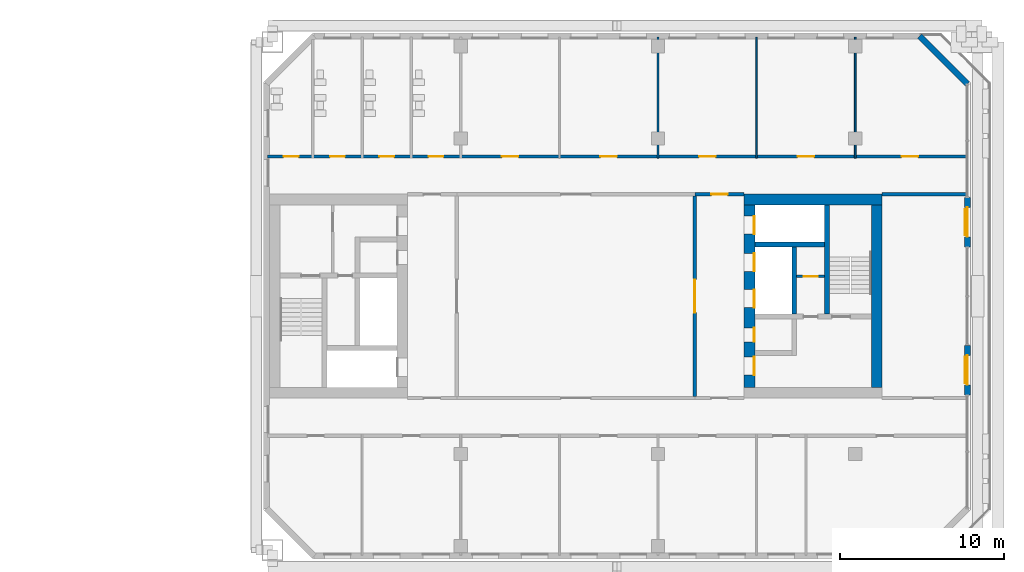
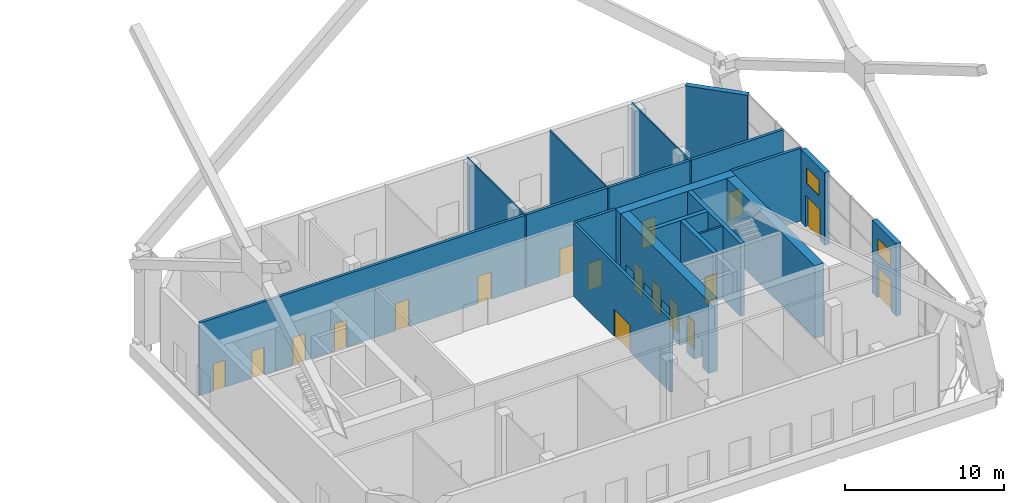
# One storey, part 15 of 20: 19 doors, 17 walls, 2 windows, 21 openings.
"""IFC4 building model written with IfcOpenShell, lengths in metres."""

from ifc_helpers import new_model, si_unit, direction, frame, frame_2d, origin, place, context, subcontext, project, spatial, rectangle, extrude, material, layer, layer_set, type_object, element, fill, save


model = new_model("IFC4")

# Units and contexts
model_context = context("Model", 3, precision=1e-05, world=origin(), true_north=direction((0.0, 1.0)))
body_context = subcontext(model_context, "Body", "Model", "MODEL_VIEW")
ifc_project = project(units=[si_unit("LENGTHUNIT", "METRE"), si_unit("AREAUNIT", "SQUARE_METRE"), si_unit("VOLUMEUNIT", "CUBIC_METRE"), si_unit("PLANEANGLEUNIT", "RADIAN"), si_unit("MASSUNIT", "GRAM", prefix="KILO")], contexts=[model_context])

# Site, building, storey
site_placement = place(None, origin())
site = spatial("IfcSite", under=ifc_project, at=site_placement, CompositionType="ELEMENT")
building_placement = place(site_placement, origin())
building = spatial("IfcBuilding", under=site, at=building_placement, Name="Tuart Gate Housing", CompositionType="ELEMENT")
storey_placement = place(building_placement, frame((0.0, 0.0, 90.199951171875)))
storey = spatial("IfcBuildingStorey", under=building, at=storey_placement, Name="L25", CompositionType="ELEMENT", Elevation=90.199951171875)

# Wall, openings, door, window
ifc_material_1 = material(Name="Brick", Category="masonry")
ifc_layer_1 = layer(ifc_material_1, 0.360107421875)
ifc_layer_set_1 = layer_set([ifc_layer_1], Name="Brick pier and spandrel wall 360")
wall_type_1 = type_object("IfcWallType", Name="Brick pier and spandrel wall 360", PredefinedType="STANDARD", material=ifc_layer_set_1)
wall_1_placement = place(storey_placement, frame((173.820068359375, 64.0, 0.0), z_axis=(0.0, 0.0, 1.0), x_axis=(0.0, 1.0, 0.0)))
wall_1 = element("IfcWall", 1, at=wall_1_placement, inside=storey, type_object=wall_type_1, Name="External wall B-E L25", PredefinedType="STANDARD", context=body_context, shape_type="SweptSolid", body=[
    extrude(rectangle(XDim=3.0, YDim=0.360107421875, at=frame_2d((1.5, 0.0))), origin(), (0.0, 0.0, 1.0), 5.60009765625),
])
opening_1_placement = place(wall_1_placement, frame((0.699951171875, 0.0, 3.39990234375)))
opening_1 = element("IfcOpeningElement", 2, at=opening_1_placement, cuts=wall_1, Name="Opening W3", PredefinedType="OPENING", context=body_context, shape_type="SweptSolid", body=[
    extrude(rectangle(XDim=1.60009765625, YDim=1.199951171875, at=frame_2d((0.800048828125, 0.60009765625))), frame((0.0, 0.18994140625, 0.0), z_axis=(0.0, -1.0, 0.0), x_axis=(1.0, 0.0, 0.0)), (0.0, 0.0, 1.0), 0.380126953125),
])
opening_2_placement = place(wall_1_placement, frame((0.60009765625, 0.0, 0.0)))
opening_2 = element("IfcOpeningElement", 3, at=opening_2_placement, cuts=wall_1, Name="Opening D2917", PredefinedType="OPENING", context=body_context, shape_type="SweptSolid", body=[
    extrude(rectangle(XDim=1.800048828125, YDim=2.39990234375, at=frame_2d((0.89990234375, 1.199951171875))), frame((0.0, 0.18994140625, 0.0), z_axis=(0.0, -1.0, 0.0), x_axis=(1.0, 0.0, 0.0)), (0.0, 0.0, 1.0), 0.380126953125),
])
ifc_material_2 = material(Name="Aluminium framed glazed door", Category="aluminium")
door_type_1 = type_object("IfcDoorType", Name="Entrance door 1800 x 2400", OperationType="DOUBLE_DOOR_SINGLE_SWING", PredefinedType="DOOR", material=ifc_material_2)
door_1_placement = place(opening_2_placement, frame((1.800048828125, 0.0, 0.0), z_axis=(0.0, 0.0, 1.0), x_axis=(-1.0, 0.0, 0.0)))
door_1 = element("IfcDoor", 4, at=door_1_placement, inside=storey, type_object=door_type_1, Name="Leg B terrace door L25 1", OperationType="DOUBLE_DOOR_SINGLE_SWING", OverallHeight=2.39990234375, OverallWidth=1.800048828125, PredefinedType="DOOR", context=body_context, shape_type="SweptSolid", body=[
    extrude(rectangle(XDim=1.800048828125, YDim=2.39990234375, at=frame_2d((0.900146484375, 1.199951171875))), frame((0.0, 0.025146484375, 0.0), z_axis=(0.0, -1.0, 0.0), x_axis=(1.0, 0.0, 0.0)), (0.0, 0.0, 1.0), 0.050048828125),
])
fill(opening_2, door_1)
ifc_material_3 = material(Name="Aluminium louvre blades", Category="aluminium")
window_type = type_object("IfcWindowType", Name="Louvre window 1600 x 1200", PartitioningType="DOUBLE_PANEL_HORIZONTAL", PredefinedType="WINDOW", material=ifc_material_3)
window_1_placement = place(opening_1_placement, origin())
window_1 = element("IfcWindow", 5, at=window_1_placement, inside=storey, type_object=window_type, Name="Louvre W3", OverallHeight=1.199951171875, OverallWidth=1.60009765625, PartitioningType="DOUBLE_PANEL_HORIZONTAL", PredefinedType="WINDOW", context=body_context, shape_type="SweptSolid", body=[
    extrude(rectangle(XDim=1.60009765625, YDim=1.199951171875, at=frame_2d((0.800048828125, 0.60009765625))), frame((0.0, 0.150146484375, 0.0), z_axis=(0.0, -1.0, 0.0), x_axis=(1.0, 0.0, 0.0)), (0.0, 0.0, 1.0), 0.06005859375),
])
fill(opening_1, window_1)

wall_2_placement = place(storey_placement, frame((173.820068359375, 73.0, 0.0), z_axis=(0.0, 0.0, 1.0), x_axis=(0.0, 1.0, 0.0)))
wall_2 = element("IfcWall", 6, at=wall_2_placement, inside=storey, type_object=wall_type_1, Name="External wall B-E L25", PredefinedType="STANDARD", context=body_context, shape_type="SweptSolid", body=[
    extrude(rectangle(XDim=3.0, YDim=0.360107421875, at=frame_2d((1.5, 0.0))), origin(), (0.0, 0.0, 1.0), 5.60009765625),
])
opening_3_placement = place(wall_2_placement, frame((0.699951171875, 0.0, 3.39990234375)))
opening_3 = element("IfcOpeningElement", 7, at=opening_3_placement, cuts=wall_2, Name="Opening W3", PredefinedType="OPENING", context=body_context, shape_type="SweptSolid", body=[
    extrude(rectangle(XDim=1.60009765625, YDim=1.199951171875, at=frame_2d((0.800048828125, 0.60009765625))), frame((0.0, 0.18994140625, 0.0), z_axis=(0.0, -1.0, 0.0), x_axis=(1.0, 0.0, 0.0)), (0.0, 0.0, 1.0), 0.380126953125),
])
opening_4_placement = place(wall_2_placement, frame((0.60009765625, 0.0, 0.0)))
opening_4 = element("IfcOpeningElement", 8, at=opening_4_placement, cuts=wall_2, Name="Opening D2904", PredefinedType="OPENING", context=body_context, shape_type="SweptSolid", body=[
    extrude(rectangle(XDim=1.800048828125, YDim=2.39990234375, at=frame_2d((0.89990234375, 1.199951171875))), frame((0.0, 0.18994140625, 0.0), z_axis=(0.0, -1.0, 0.0), x_axis=(1.0, 0.0, 0.0)), (0.0, 0.0, 1.0), 0.380126953125),
])
door_2_placement = place(opening_4_placement, frame((1.800048828125, 0.0, 0.0), z_axis=(0.0, 0.0, 1.0), x_axis=(-1.0, 0.0, 0.0)))
door_2 = element("IfcDoor", 9, at=door_2_placement, inside=storey, type_object=door_type_1, Name="Leg B terrace door L25 2", OperationType="DOUBLE_DOOR_SINGLE_SWING", OverallHeight=2.39990234375, OverallWidth=1.800048828125, PredefinedType="DOOR", context=body_context, shape_type="SweptSolid", body=[
    extrude(rectangle(XDim=1.800048828125, YDim=2.39990234375, at=frame_2d((0.900146484375, 1.199951171875))), frame((0.0, 0.025146484375, 0.0), z_axis=(0.0, -1.0, 0.0), x_axis=(1.0, 0.0, 0.0)), (0.0, 0.0, 1.0), 0.050048828125),
])
fill(opening_4, door_2)
window_2_placement = place(opening_3_placement, origin())
window_2 = element("IfcWindow", 10, at=window_2_placement, inside=storey, type_object=window_type, Name="Louvre W3", OverallHeight=1.199951171875, OverallWidth=1.60009765625, PartitioningType="DOUBLE_PANEL_HORIZONTAL", PredefinedType="WINDOW", context=body_context, shape_type="SweptSolid", body=[
    extrude(rectangle(XDim=1.60009765625, YDim=1.199951171875, at=frame_2d((0.800048828125, 0.60009765625))), frame((0.0, 0.150146484375, 0.0), z_axis=(0.0, -1.0, 0.0), x_axis=(1.0, 0.0, 0.0)), (0.0, 0.0, 1.0), 0.06005859375),
])
fill(opening_3, window_2)

# Wall
wall_3_placement = place(storey_placement, frame((173.820068359375, 82.92529296875, 0.0), z_axis=(0.0, 0.0, 1.0), x_axis=(-0.707106781187, 0.707106781187, 0.0)))
element("IfcWall", 11, at=wall_3_placement, inside=storey, type_object=wall_type_1, Name="External wall B-NE L25", PredefinedType="STANDARD", context=body_context, shape_type="SweptSolid", body=[
    extrude(rectangle(XDim=4.09375, YDim=0.360107421875, at=frame_2d((2.046875, 0.0))), origin(), (0.0, 0.0, 1.0), 5.60009765625),
])

# Wall, opening, door
ifc_material_4 = material(Name="Plasterboard partition")
ifc_layer_2 = layer(ifc_material_4, 0.14990234375)
ifc_layer_set_2 = layer_set([ifc_layer_2], Name="Core partition 150")
wall_type_2 = type_object("IfcWallType", Name="Core partition 150", PredefinedType="PARTITIONING", material=ifc_layer_set_2)
wall_4_placement = place(storey_placement, frame((163.43994140625, 71.199951171875, 0.0), z_axis=(0.0, 0.0, 1.0), x_axis=(1.0, 0.0, 0.0)))
wall_4 = element("IfcWall", 12, at=wall_4_placement, inside=storey, type_object=wall_type_2, Name="Core partition BK.2", PredefinedType="PARTITIONING", context=body_context, shape_type="SweptSolid", body=[
    extrude(rectangle(XDim=1.699951171875, YDim=0.14990234375, at=frame_2d((0.85009765625, 0.0))), origin(), (0.0, 0.0, 1.0), 5.60009765625),
])
opening_5_placement = place(wall_4_placement, frame((0.425048828125, 0.0, 0.0)))
opening_5 = element("IfcOpeningElement", 13, at=opening_5_placement, cuts=wall_4, Name="Opening D2908", PredefinedType="OPENING", context=body_context, shape_type="SweptSolid", body=[
    extrude(rectangle(XDim=0.85009765625, YDim=2.10009765625, at=frame_2d((0.425048828125, 1.050048828125))), frame((0.0, 0.0849609375, 0.0), z_axis=(0.0, -1.0, 0.0), x_axis=(1.0, 0.0, 0.0)), (0.0, 0.0, 1.0), 0.169921875),
])
ifc_material_5 = material(Name="Steel fire door", Category="steel")
door_type_2 = type_object("IfcDoorType", Name="Service door 850 x 2100 RH", OperationType="SINGLE_SWING_RIGHT", PredefinedType="DOOR", material=ifc_material_5)
door_3_placement = place(opening_5_placement, frame((0.85009765625, 0.0, 0.0), z_axis=(0.0, 0.0, 1.0), x_axis=(-1.0, 0.0, 0.0)))
door_3 = element("IfcDoor", 14, at=door_3_placement, inside=storey, type_object=door_type_2, Name="Service room door BK.W2", OperationType="SINGLE_SWING_RIGHT", OverallHeight=2.10009765625, OverallWidth=0.85009765625, PredefinedType="DOOR", context=body_context, shape_type="SweptSolid", body=[
    extrude(rectangle(XDim=0.85009765625, YDim=2.10009765625, at=frame_2d((0.425048828125, 1.050048828125))), frame((0.0, 0.025146484375, 0.0), z_axis=(0.0, -1.0, 0.0), x_axis=(1.0, 0.0, 0.0)), (0.0, 0.0, 1.0), 0.050048828125),
])
fill(opening_5, door_3)

# Walls
ifc_material_6 = material(Name="Concrete C50", Category="concrete")
ifc_layer_3 = layer(ifc_material_6, 0.300048828125)
ifc_layer_set_3 = layer_set([ifc_layer_3], Name="Core wall 300 C50")
wall_type_3 = type_object("IfcWallType", Name="Core wall 300 C50", PredefinedType="SHEAR", material=ifc_layer_set_3)
wall_5_placement = place(storey_placement, frame((160.889892578125, 73.14990234375, 0.0), z_axis=(0.0, 0.0, 1.0), x_axis=(1.0, 0.0, 0.0)))
element("IfcWall", 15, at=wall_5_placement, inside=storey, type_object=wall_type_3, Name="Core wall BK.1", PredefinedType="SHEAR", context=body_context, shape_type="SweptSolid", body=[
    extrude(rectangle(XDim=4.25, YDim=0.300048828125, at=frame_2d((2.125, 0.0))), origin(), (0.0, 0.0, 1.0), 5.60009765625),
])
wall_6_placement = place(storey_placement, frame((163.2900390625, 73.0, 0.0), z_axis=(0.0, 0.0, 1.0), x_axis=(0.0, -1.0, 0.0)))
element("IfcWall", 16, at=wall_6_placement, inside=storey, type_object=wall_type_3, Name="Core wall BK.5", PredefinedType="SHEAR", context=body_context, shape_type="SweptSolid", body=[
    extrude(rectangle(XDim=4.10009765625, YDim=0.300048828125, at=frame_2d((2.050048828125, 0.0))), origin(), (0.0, 0.0, 1.0), 5.60009765625),
])
wall_7_placement = place(storey_placement, frame((165.2900390625, 75.550048828125, 0.0), z_axis=(0.0, 0.0, 1.0), x_axis=(0.0, -1.0, 0.0)))
element("IfcWall", 17, at=wall_7_placement, inside=storey, type_object=wall_type_3, Name="Core wall BK.7", PredefinedType="SHEAR", context=body_context, shape_type="SweptSolid", body=[
    extrude(rectangle(XDim=6.650146484375, YDim=0.300048828125, at=frame_2d((3.3251953125, 0.0))), origin(), (0.0, 0.0, 1.0), 5.60009765625),
])

# Wall, openings, doors
ifc_material_7 = material(Name="Concrete C50", Category="concrete")
ifc_layer_4 = layer(ifc_material_7, 0.64990234375)
ifc_layer_set_4 = layer_set([ifc_layer_4], Name="Core wall 650 C50")
wall_type_4 = type_object("IfcWallType", Name="Core wall 650 C50", PredefinedType="SHEAR", material=ifc_layer_set_4)
wall_8_placement = place(storey_placement, frame((160.56494140625, 75.550048828125, 0.0), z_axis=(0.0, 0.0, 1.0), x_axis=(0.0, -1.0, 0.0)))
wall_8 = element("IfcWall", 18, at=wall_8_placement, inside=storey, type_object=wall_type_4, Name="Core wall BK front", PredefinedType="SHEAR", context=body_context, shape_type="SweptSolid", body=[
    extrude(rectangle(XDim=11.10009765625, YDim=0.64990234375, at=frame_2d((5.550048828125, 0.0))), origin(), (0.0, 0.0, 1.0), 5.60009765625),
])
opening_6_placement = place(wall_8_placement, frame((0.675048828125, 0.0, 0.0)))
opening_6 = element("IfcOpeningElement", 19, at=opening_6_placement, cuts=wall_8, Name="Opening LD-FB2", PredefinedType="OPENING", context=body_context, shape_type="SweptSolid", body=[
    extrude(rectangle(XDim=1.10009765625, YDim=2.10009765625, at=frame_2d((0.550048828125, 1.050048828125))), frame((0.0, 0.3349609375, 0.0), z_axis=(0.0, -1.0, 0.0), x_axis=(1.0, 0.0, 0.0)), (0.0, 0.0, 1.0), 0.669921875),
])
opening_7_placement = place(wall_8_placement, frame((2.949951171875, 0.0, 0.0)))
opening_7 = element("IfcOpeningElement", 20, at=opening_7_placement, cuts=wall_8, Name="Opening LD-LB3", PredefinedType="OPENING", context=body_context, shape_type="SweptSolid", body=[
    extrude(rectangle(XDim=1.10009765625, YDim=2.10009765625, at=frame_2d((0.550048828125, 1.050048828125))), frame((0.0, 0.3349609375, 0.0), z_axis=(0.0, -1.0, 0.0), x_axis=(1.0, 0.0, 0.0)), (0.0, 0.0, 1.0), 0.669921875),
])
opening_8_placement = place(wall_8_placement, frame((5.14990234375, 0.0, 0.0)))
opening_8 = element("IfcOpeningElement", 21, at=opening_8_placement, cuts=wall_8, Name="Opening LD-LB4", PredefinedType="OPENING", context=body_context, shape_type="SweptSolid", body=[
    extrude(rectangle(XDim=1.10009765625, YDim=2.10009765625, at=frame_2d((0.550048828125, 1.050048828125))), frame((0.0, 0.3349609375, 0.0), z_axis=(0.0, -1.0, 0.0), x_axis=(1.0, 0.0, 0.0)), (0.0, 0.0, 1.0), 0.669921875),
])
opening_9_placement = place(wall_8_placement, frame((9.25, 0.0, 0.0)))
opening_9 = element("IfcOpeningElement", 22, at=opening_9_placement, cuts=wall_8, Name="Opening D2913", PredefinedType="OPENING", context=body_context, shape_type="SweptSolid", body=[
    extrude(rectangle(XDim=1.10009765625, YDim=2.10009765625, at=frame_2d((0.550048828125, 1.050048828125))), frame((0.0, 0.3349609375, 0.0), z_axis=(0.0, -1.0, 0.0), x_axis=(1.0, 0.0, 0.0)), (0.0, 0.0, 1.0), 0.669921875),
])
opening_10_placement = place(wall_8_placement, frame((7.47509765625, 0.0, 0.0)))
opening_10 = element("IfcOpeningElement", 23, at=opening_10_placement, cuts=wall_8, Name="Opening D2914", PredefinedType="OPENING", context=body_context, shape_type="SweptSolid", body=[
    extrude(rectangle(XDim=0.85009765625, YDim=2.10009765625, at=frame_2d((0.425048828125, 1.050048828125))), frame((0.0, 0.3349609375, 0.0), z_axis=(0.0, -1.0, 0.0), x_axis=(1.0, 0.0, 0.0)), (0.0, 0.0, 1.0), 0.669921875),
])
ifc_material_8 = material(Name="Stainless steel", Category="steel")
door_type_3 = type_object("IfcDoorType", Name="Landing door 1100 x 2100", OperationType="DOUBLE_DOOR_SLIDING", PredefinedType="DOOR", material=ifc_material_8)
door_4_placement = place(opening_6_placement, origin())
door_4 = element("IfcDoor", 24, at=door_4_placement, inside=storey, type_object=door_type_3, Name="Lift landing door FB2", OperationType="DOUBLE_DOOR_SLIDING", OverallHeight=2.10009765625, OverallWidth=1.10009765625, PredefinedType="DOOR", context=body_context, shape_type="SweptSolid", body=[
    extrude(rectangle(XDim=1.10009765625, YDim=2.10009765625, at=frame_2d((0.550048828125, 1.050048828125))), frame((0.0, 0.31005859375, 0.0), z_axis=(0.0, -1.0, 0.0), x_axis=(1.0, 0.0, 0.0)), (0.0, 0.0, 1.0), 0.050048828125),
])
fill(opening_6, door_4)
door_5_placement = place(opening_7_placement, origin())
door_5 = element("IfcDoor", 25, at=door_5_placement, inside=storey, type_object=door_type_3, Name="Lift landing door LB3", OperationType="DOUBLE_DOOR_SLIDING", OverallHeight=2.10009765625, OverallWidth=1.10009765625, PredefinedType="DOOR", context=body_context, shape_type="SweptSolid", body=[
    extrude(rectangle(XDim=1.10009765625, YDim=2.10009765625, at=frame_2d((0.550048828125, 1.050048828125))), frame((0.0, 0.31005859375, 0.0), z_axis=(0.0, -1.0, 0.0), x_axis=(1.0, 0.0, 0.0)), (0.0, 0.0, 1.0), 0.050048828125),
])
fill(opening_7, door_5)
door_6_placement = place(opening_8_placement, origin())
door_6 = element("IfcDoor", 26, at=door_6_placement, inside=storey, type_object=door_type_3, Name="Lift landing door LB4", OperationType="DOUBLE_DOOR_SLIDING", OverallHeight=2.10009765625, OverallWidth=1.10009765625, PredefinedType="DOOR", context=body_context, shape_type="SweptSolid", body=[
    extrude(rectangle(XDim=1.10009765625, YDim=2.10009765625, at=frame_2d((0.550048828125, 1.050048828125))), frame((0.0, 0.31005859375, 0.0), z_axis=(0.0, -1.0, 0.0), x_axis=(1.0, 0.0, 0.0)), (0.0, 0.0, 1.0), 0.050048828125),
])
fill(opening_8, door_6)
ifc_material_9 = material(Name="Steel fire door", Category="steel")
door_type_4 = type_object("IfcDoorType", Name="Lobby door 1100 x 2100", OperationType="SINGLE_SWING_LEFT", PredefinedType="DOOR", material=ifc_material_9)
door_7_placement = place(opening_9_placement, origin())
door_7 = element("IfcDoor", 27, at=door_7_placement, inside=storey, type_object=door_type_4, Name="Lobby entry door BK.EN", OperationType="SINGLE_SWING_LEFT", OverallHeight=2.10009765625, OverallWidth=1.10009765625, PredefinedType="DOOR", context=body_context, shape_type="SweptSolid", body=[
    extrude(rectangle(XDim=1.10009765625, YDim=2.10009765625, at=frame_2d((0.550048828125, 1.050048828125))), frame((0.0, 0.31005859375, 0.0), z_axis=(0.0, -1.0, 0.0), x_axis=(1.0, 0.0, 0.0)), (0.0, 0.0, 1.0), 0.050048828125),
])
fill(opening_9, door_7)
ifc_material_10 = material(Name="Steel fire door", Category="steel")
door_type_5 = type_object("IfcDoorType", Name="Service door 850 x 2100", OperationType="SINGLE_SWING_LEFT", PredefinedType="DOOR", material=ifc_material_10)
door_8_placement = place(opening_10_placement, origin())
door_8 = element("IfcDoor", 28, at=door_8_placement, inside=storey, type_object=door_type_5, Name="Service room door BK.T1", OperationType="SINGLE_SWING_LEFT", OverallHeight=2.10009765625, OverallWidth=0.85009765625, PredefinedType="DOOR", context=body_context, shape_type="SweptSolid", body=[
    extrude(rectangle(XDim=0.85009765625, YDim=2.10009765625, at=frame_2d((0.425048828125, 1.050048828125))), frame((0.0, 0.31005859375, 0.0), z_axis=(0.0, -1.0, 0.0), x_axis=(1.0, 0.0, 0.0)), (0.0, 0.0, 1.0), 0.050048828125),
])
fill(opening_10, door_8)

# Walls
wall_9_placement = place(storey_placement, frame((168.31494140625, 75.550048828125, 0.0), z_axis=(0.0, 0.0, 1.0), x_axis=(0.0, -1.0, 0.0)))
element("IfcWall", 29, at=wall_9_placement, inside=storey, type_object=wall_type_4, Name="Core wall BK back", PredefinedType="SHEAR", context=body_context, shape_type="SweptSolid", body=[
    extrude(rectangle(XDim=11.10009765625, YDim=0.64990234375, at=frame_2d((5.550048828125, 0.0))), origin(), (0.0, 0.0, 1.0), 5.60009765625),
])
wall_10_placement = place(storey_placement, frame((160.239990234375, 75.875, 0.0), z_axis=(0.0, 0.0, 1.0), x_axis=(1.0, 0.0, 0.0)))
element("IfcWall", 30, at=wall_10_placement, inside=storey, type_object=wall_type_4, Name="Core wall BK south", PredefinedType="SHEAR", context=body_context, shape_type="SweptSolid", body=[
    extrude(rectangle(XDim=8.39990234375, YDim=0.64990234375, at=frame_2d((4.199951171875, 0.0))), origin(), (0.0, 0.0, 1.0), 5.60009765625),
])
ifc_material_11 = material(Name="Concrete masonry 15 MPa", Category="masonry")
ifc_layer_5 = layer(ifc_material_11, 0.199951171875)
ifc_layer_set_5 = layer_set([ifc_layer_5], Name="Corridor wall masonry 200")
wall_type_5 = type_object("IfcWallType", Name="Corridor wall masonry 200", PredefinedType="PARTITIONING", material=ifc_layer_set_5)
wall_11_placement = place(storey_placement, frame((168.639892578125, 76.199951171875, 0.0), z_axis=(0.0, 0.0, 1.0), x_axis=(1.0, 0.0, 0.0)))
element("IfcWall", 31, at=wall_11_placement, inside=storey, type_object=wall_type_5, Name="Corridor wall masonry 200", PredefinedType="PARTITIONING", context=body_context, shape_type="SweptSolid", body=[
    extrude(rectangle(XDim=5.1201171875, YDim=0.199951171875, at=frame_2d((2.56005859375, 0.0))), origin(), (0.0, 0.0, 1.0), 5.60009765625),
])

# Wall, openings, doors
wall_12_placement = place(storey_placement, frame((131.239990234375, 78.5, 0.0), z_axis=(0.0, 0.0, 1.0), x_axis=(1.0, 0.0, 0.0)))
wall_12 = element("IfcWall", 32, at=wall_12_placement, inside=storey, type_object=wall_type_5, Name="Corridor wall masonry 200", PredefinedType="PARTITIONING", context=body_context, shape_type="SweptSolid", body=[
    extrude(rectangle(XDim=42.52001953125, YDim=0.199951171875, at=frame_2d((21.260009765625, 0.0))), origin(), (0.0, 0.0, 1.0), 5.60009765625),
])
opening_11_placement = place(wall_12_placement, frame((0.989990234375, 0.0, 0.0)))
opening_11 = element("IfcOpeningElement", 33, at=opening_11_placement, cuts=wall_12, Name="Opening D2897", PredefinedType="OPENING", context=body_context, shape_type="SweptSolid", body=[
    extrude(rectangle(XDim=0.89990234375, YDim=2.10009765625, at=frame_2d((0.449951171875, 1.050048828125))), frame((0.0, 0.10986328125, 0.0), z_axis=(0.0, -1.0, 0.0), x_axis=(1.0, 0.0, 0.0)), (0.0, 0.0, 1.0), 0.219970703125),
])
opening_12_placement = place(wall_12_placement, frame((3.81005859375, 0.0, 0.0)))
opening_12 = element("IfcOpeningElement", 34, at=opening_12_placement, cuts=wall_12, Name="Opening D2898", PredefinedType="OPENING", context=body_context, shape_type="SweptSolid", body=[
    extrude(rectangle(XDim=0.89990234375, YDim=2.10009765625, at=frame_2d((0.449951171875, 1.050048828125))), frame((0.0, 0.10986328125, 0.0), z_axis=(0.0, -1.0, 0.0), x_axis=(1.0, 0.0, 0.0)), (0.0, 0.0, 1.0), 0.219970703125),
])
opening_13_placement = place(wall_12_placement, frame((6.81005859375, 0.0, 0.0)))
opening_13 = element("IfcOpeningElement", 35, at=opening_13_placement, cuts=wall_12, Name="Opening D2899", PredefinedType="OPENING", context=body_context, shape_type="SweptSolid", body=[
    extrude(rectangle(XDim=0.89990234375, YDim=2.10009765625, at=frame_2d((0.449951171875, 1.050048828125))), frame((0.0, 0.10986328125, 0.0), z_axis=(0.0, -1.0, 0.0), x_axis=(1.0, 0.0, 0.0)), (0.0, 0.0, 1.0), 0.219970703125),
])
opening_14_placement = place(wall_12_placement, frame((9.81005859375, 0.0, 0.0)))
opening_14 = element("IfcOpeningElement", 36, at=opening_14_placement, cuts=wall_12, Name="Opening D2900", PredefinedType="OPENING", context=body_context, shape_type="SweptSolid", body=[
    extrude(rectangle(XDim=0.89990234375, YDim=2.10009765625, at=frame_2d((0.449951171875, 1.050048828125))), frame((0.0, 0.10986328125, 0.0), z_axis=(0.0, -1.0, 0.0), x_axis=(1.0, 0.0, 0.0)), (0.0, 0.0, 1.0), 0.219970703125),
])
opening_15_placement = place(wall_12_placement, frame((14.260009765625, 0.0, 0.0)))
opening_15 = element("IfcOpeningElement", 37, at=opening_15_placement, cuts=wall_12, Name="Opening D2892", PredefinedType="OPENING", context=body_context, shape_type="SweptSolid", body=[
    extrude(rectangle(XDim=1.0, YDim=2.10009765625, at=frame_2d((0.5, 1.050048828125))), frame((0.0, 0.10986328125, 0.0), z_axis=(0.0, -1.0, 0.0), x_axis=(1.0, 0.0, 0.0)), (0.0, 0.0, 1.0), 0.219970703125),
])
opening_16_placement = place(wall_12_placement, frame((20.260009765625, 0.0, 0.0)))
opening_16 = element("IfcOpeningElement", 38, at=opening_16_placement, cuts=wall_12, Name="Opening D2893", PredefinedType="OPENING", context=body_context, shape_type="SweptSolid", body=[
    extrude(rectangle(XDim=1.0, YDim=2.10009765625, at=frame_2d((0.5, 1.050048828125))), frame((0.0, 0.10986328125, 0.0), z_axis=(0.0, -1.0, 0.0), x_axis=(1.0, 0.0, 0.0)), (0.0, 0.0, 1.0), 0.219970703125),
])
opening_17_placement = place(wall_12_placement, frame((26.260009765625, 0.0, 0.0)))
opening_17 = element("IfcOpeningElement", 39, at=opening_17_placement, cuts=wall_12, Name="Opening D2894", PredefinedType="OPENING", context=body_context, shape_type="SweptSolid", body=[
    extrude(rectangle(XDim=1.0, YDim=2.10009765625, at=frame_2d((0.5, 1.050048828125))), frame((0.0, 0.10986328125, 0.0), z_axis=(0.0, -1.0, 0.0), x_axis=(1.0, 0.0, 0.0)), (0.0, 0.0, 1.0), 0.219970703125),
])
opening_18_placement = place(wall_12_placement, frame((32.260009765625, 0.0, 0.0)))
opening_18 = element("IfcOpeningElement", 40, at=opening_18_placement, cuts=wall_12, Name="Opening D2895", PredefinedType="OPENING", context=body_context, shape_type="SweptSolid", body=[
    extrude(rectangle(XDim=1.0, YDim=2.10009765625, at=frame_2d((0.5, 1.050048828125))), frame((0.0, 0.10986328125, 0.0), z_axis=(0.0, -1.0, 0.0), x_axis=(1.0, 0.0, 0.0)), (0.0, 0.0, 1.0), 0.219970703125),
])
opening_19_placement = place(wall_12_placement, frame((38.580078125, 0.0, 0.0)))
opening_19 = element("IfcOpeningElement", 41, at=opening_19_placement, cuts=wall_12, Name="Opening D2896", PredefinedType="OPENING", context=body_context, shape_type="SweptSolid", body=[
    extrude(rectangle(XDim=1.0, YDim=2.10009765625, at=frame_2d((0.5, 1.050048828125))), frame((0.0, 0.10986328125, 0.0), z_axis=(0.0, -1.0, 0.0), x_axis=(1.0, 0.0, 0.0)), (0.0, 0.0, 1.0), 0.219970703125),
])
ifc_material_12 = material(Name="Timber door leaf in steel frame", Category="steel")
door_type_6 = type_object("IfcDoorType", Name="Fire door 1000", OperationType="SINGLE_SWING_LEFT", PredefinedType="DOOR", material=ifc_material_12)
door_9_placement = place(opening_15_placement, origin())
door_9 = element("IfcDoor", 42, at=door_9_placement, inside=storey, type_object=door_type_6, Name="Fire door 1000", OperationType="SINGLE_SWING_LEFT", OverallHeight=2.10009765625, OverallWidth=1.0, PredefinedType="DOOR", context=body_context, shape_type="SweptSolid", body=[
    extrude(rectangle(XDim=1.0, YDim=2.10009765625, at=frame_2d((0.5, 1.050048828125))), frame((0.0, 0.02490234375, 0.0), z_axis=(0.0, -1.0, 0.0), x_axis=(1.0, 0.0, 0.0)), (0.0, 0.0, 1.0), 0.050048828125),
])
fill(opening_15, door_9)
door_10_placement = place(opening_16_placement, origin())
door_10 = element("IfcDoor", 43, at=door_10_placement, inside=storey, type_object=door_type_6, Name="Fire door 1000", OperationType="SINGLE_SWING_LEFT", OverallHeight=2.10009765625, OverallWidth=1.0, PredefinedType="DOOR", context=body_context, shape_type="SweptSolid", body=[
    extrude(rectangle(XDim=1.0, YDim=2.10009765625, at=frame_2d((0.5, 1.050048828125))), frame((0.0, 0.02490234375, 0.0), z_axis=(0.0, -1.0, 0.0), x_axis=(1.0, 0.0, 0.0)), (0.0, 0.0, 1.0), 0.050048828125),
])
fill(opening_16, door_10)
door_11_placement = place(opening_17_placement, origin())
door_11 = element("IfcDoor", 44, at=door_11_placement, inside=storey, type_object=door_type_6, Name="Fire door 1000", OperationType="SINGLE_SWING_LEFT", OverallHeight=2.10009765625, OverallWidth=1.0, PredefinedType="DOOR", context=body_context, shape_type="SweptSolid", body=[
    extrude(rectangle(XDim=1.0, YDim=2.10009765625, at=frame_2d((0.5, 1.050048828125))), frame((0.0, 0.02490234375, 0.0), z_axis=(0.0, -1.0, 0.0), x_axis=(1.0, 0.0, 0.0)), (0.0, 0.0, 1.0), 0.050048828125),
])
fill(opening_17, door_11)
door_12_placement = place(opening_18_placement, origin())
door_12 = element("IfcDoor", 45, at=door_12_placement, inside=storey, type_object=door_type_6, Name="Fire door 1000", OperationType="SINGLE_SWING_LEFT", OverallHeight=2.10009765625, OverallWidth=1.0, PredefinedType="DOOR", context=body_context, shape_type="SweptSolid", body=[
    extrude(rectangle(XDim=1.0, YDim=2.10009765625, at=frame_2d((0.5, 1.050048828125))), frame((0.0, 0.02490234375, 0.0), z_axis=(0.0, -1.0, 0.0), x_axis=(1.0, 0.0, 0.0)), (0.0, 0.0, 1.0), 0.050048828125),
])
fill(opening_18, door_12)
door_13_placement = place(opening_19_placement, origin())
door_13 = element("IfcDoor", 46, at=door_13_placement, inside=storey, type_object=door_type_6, Name="Fire door 1000", OperationType="SINGLE_SWING_LEFT", OverallHeight=2.10009765625, OverallWidth=1.0, PredefinedType="DOOR", context=body_context, shape_type="SweptSolid", body=[
    extrude(rectangle(XDim=1.0, YDim=2.10009765625, at=frame_2d((0.5, 1.050048828125))), frame((0.0, 0.02490234375, 0.0), z_axis=(0.0, -1.0, 0.0), x_axis=(1.0, 0.0, 0.0)), (0.0, 0.0, 1.0), 0.050048828125),
])
fill(opening_19, door_13)
ifc_material_13 = material(Name="Timber door leaf in steel frame", Category="steel")
door_type_7 = type_object("IfcDoorType", Name="Fire door 900", OperationType="SINGLE_SWING_LEFT", PredefinedType="DOOR", material=ifc_material_13)
door_14_placement = place(opening_11_placement, origin())
door_14 = element("IfcDoor", 47, at=door_14_placement, inside=storey, type_object=door_type_7, Name="Fire door 900", OperationType="SINGLE_SWING_LEFT", OverallHeight=2.10009765625, OverallWidth=0.89990234375, PredefinedType="DOOR", context=body_context, shape_type="SweptSolid", body=[
    extrude(rectangle(XDim=0.89990234375, YDim=2.10009765625, at=frame_2d((0.449951171875, 1.050048828125))), frame((0.0, 0.02490234375, 0.0), z_axis=(0.0, -1.0, 0.0), x_axis=(1.0, 0.0, 0.0)), (0.0, 0.0, 1.0), 0.050048828125),
])
fill(opening_11, door_14)
door_15_placement = place(opening_12_placement, origin())
door_15 = element("IfcDoor", 48, at=door_15_placement, inside=storey, type_object=door_type_7, Name="Fire door 900", OperationType="SINGLE_SWING_LEFT", OverallHeight=2.10009765625, OverallWidth=0.89990234375, PredefinedType="DOOR", context=body_context, shape_type="SweptSolid", body=[
    extrude(rectangle(XDim=0.89990234375, YDim=2.10009765625, at=frame_2d((0.449951171875, 1.050048828125))), frame((0.0, 0.02490234375, 0.0), z_axis=(0.0, -1.0, 0.0), x_axis=(1.0, 0.0, 0.0)), (0.0, 0.0, 1.0), 0.050048828125),
])
fill(opening_12, door_15)
door_16_placement = place(opening_13_placement, origin())
door_16 = element("IfcDoor", 49, at=door_16_placement, inside=storey, type_object=door_type_7, Name="Fire door 900", OperationType="SINGLE_SWING_LEFT", OverallHeight=2.10009765625, OverallWidth=0.89990234375, PredefinedType="DOOR", context=body_context, shape_type="SweptSolid", body=[
    extrude(rectangle(XDim=0.89990234375, YDim=2.10009765625, at=frame_2d((0.449951171875, 1.050048828125))), frame((0.0, 0.02490234375, 0.0), z_axis=(0.0, -1.0, 0.0), x_axis=(1.0, 0.0, 0.0)), (0.0, 0.0, 1.0), 0.050048828125),
])
fill(opening_13, door_16)
door_17_placement = place(opening_14_placement, origin())
door_17 = element("IfcDoor", 50, at=door_17_placement, inside=storey, type_object=door_type_7, Name="Fire door 900", OperationType="SINGLE_SWING_LEFT", OverallHeight=2.10009765625, OverallWidth=0.89990234375, PredefinedType="DOOR", context=body_context, shape_type="SweptSolid", body=[
    extrude(rectangle(XDim=0.89990234375, YDim=2.10009765625, at=frame_2d((0.449951171875, 1.050048828125))), frame((0.0, 0.02490234375, 0.0), z_axis=(0.0, -1.0, 0.0), x_axis=(1.0, 0.0, 0.0)), (0.0, 0.0, 1.0), 0.050048828125),
])
fill(opening_14, door_17)

# Wall, opening, door
ifc_material_14 = material(Name="Concrete masonry 15 MPa", Category="masonry")
ifc_layer_6 = layer(ifc_material_14, 0.199951171875)
ifc_layer_set_6 = layer_set([ifc_layer_6], Name="Enclosure wall masonry 200")
wall_type_6 = type_object("IfcWallType", Name="Enclosure wall masonry 200", PredefinedType="PARTITIONING", material=ifc_layer_set_6)
wall_13_placement = place(storey_placement, frame((157.239990234375, 76.199951171875, 0.0), z_axis=(0.0, 0.0, 1.0), x_axis=(1.0, 0.0, 0.0)))
wall_13 = element("IfcWall", 51, at=wall_13_placement, inside=storey, type_object=wall_type_6, Name="Enclosure wall masonry 200", PredefinedType="PARTITIONING", context=body_context, shape_type="SweptSolid", body=[
    extrude(rectangle(XDim=3.0, YDim=0.199951171875, at=frame_2d((1.5, 0.0))), origin(), (0.0, 0.0, 1.0), 5.60009765625),
])
opening_20_placement = place(wall_13_placement, frame((1.0, 0.0, 0.0)))
opening_20 = element("IfcOpeningElement", 52, at=opening_20_placement, cuts=wall_13, Name="Opening D2903", PredefinedType="OPENING", context=body_context, shape_type="SweptSolid", body=[
    extrude(rectangle(XDim=1.0, YDim=2.10009765625, at=frame_2d((0.5, 1.050048828125))), frame((0.0, 0.10986328125, 0.0), z_axis=(0.0, -1.0, 0.0), x_axis=(1.0, 0.0, 0.0)), (0.0, 0.0, 1.0), 0.219970703125),
])
ifc_material_15 = material(Name="Timber door leaf in steel frame", Category="steel")
door_type_8 = type_object("IfcDoorType", Name="Lobby door 1000 RH", OperationType="SINGLE_SWING_RIGHT", PredefinedType="DOOR", material=ifc_material_15)
door_18_placement = place(opening_20_placement, frame((1.0, 0.0, 0.0), z_axis=(0.0, 0.0, 1.0), x_axis=(-1.0, 0.0, 0.0)))
door_18 = element("IfcDoor", 53, at=door_18_placement, inside=storey, type_object=door_type_8, Name="Lobby door 1000", OperationType="SINGLE_SWING_RIGHT", OverallHeight=2.10009765625, OverallWidth=1.0, PredefinedType="DOOR", context=body_context, shape_type="SweptSolid", body=[
    extrude(rectangle(XDim=1.0, YDim=2.10009765625, at=frame_2d((0.5, 1.050048828125))), frame((0.0, 0.025146484375, 0.0), z_axis=(0.0, -1.0, 0.0), x_axis=(1.0, 0.0, 0.0)), (0.0, 0.0, 1.0), 0.050048828125),
])
fill(opening_20, door_18)

ifc_material_16 = material(Name="Plasterboard partition")
ifc_layer_7 = layer(ifc_material_16, 0.199951171875)
ifc_layer_set_7 = layer_set([ifc_layer_7], Name="Lobby wall 200")
wall_type_7 = type_object("IfcWallType", Name="Lobby wall 200", PredefinedType="PARTITIONING", material=ifc_layer_set_7)
wall_14_placement = place(storey_placement, frame((157.239990234375, 63.89990234375, 0.0), z_axis=(0.0, 0.0, 1.0), x_axis=(0.0, 1.0, 0.0)))
wall_14 = element("IfcWall", 54, at=wall_14_placement, inside=storey, type_object=wall_type_7, Name="Lift lobby wall BK", PredefinedType="PARTITIONING", context=body_context, shape_type="SweptSolid", body=[
    extrude(rectangle(XDim=12.2001953125, YDim=0.199951171875, at=frame_2d((6.10009765625, 0.0))), origin(), (0.0, 0.0, 1.0), 5.60009765625),
])
opening_21_placement = place(wall_14_placement, frame((5.10009765625, 0.0, 0.0)))
opening_21 = element("IfcOpeningElement", 55, at=opening_21_placement, cuts=wall_14, Name="Opening D2912", PredefinedType="OPENING", context=body_context, shape_type="SweptSolid", body=[
    extrude(rectangle(XDim=2.0, YDim=2.10009765625, at=frame_2d((1.0, 1.050048828125))), frame((0.0, 0.10986328125, 0.0), z_axis=(0.0, -1.0, 0.0), x_axis=(1.0, 0.0, 0.0)), (0.0, 0.0, 1.0), 0.219970703125),
])
ifc_material_17 = material(Name="Steel fire door", Category="steel")
door_type_9 = type_object("IfcDoorType", Name="Smoke door 2000 x 2100", OperationType="DOUBLE_DOOR_SINGLE_SWING", PredefinedType="DOOR", material=ifc_material_17)
door_19_placement = place(opening_21_placement, origin())
door_19 = element("IfcDoor", 56, at=door_19_placement, inside=storey, type_object=door_type_9, Name="Lift lobby smoke door BK", OperationType="DOUBLE_DOOR_SINGLE_SWING", OverallHeight=2.10009765625, OverallWidth=2.0, PredefinedType="DOOR", context=body_context, shape_type="SweptSolid", body=[
    extrude(rectangle(XDim=2.0, YDim=2.10009765625, at=frame_2d((1.0, 1.050048828125))), frame((0.0, 0.02490234375, 0.0), z_axis=(0.0, -1.0, 0.0), x_axis=(1.0, 0.0, 0.0)), (0.0, 0.0, 1.0), 0.050048828125),
])
fill(opening_21, door_19)

# Walls
ifc_material_18 = material(Name="Gypsum board on steel studs", Category="steel")
ifc_layer_8 = layer(ifc_material_18, 0.10009765625)
ifc_layer_set_8 = layer_set([ifc_layer_8], Name="Partition 100")
wall_type_8 = type_object("IfcWallType", Name="Partition 100", PredefinedType="PARTITIONING", material=ifc_layer_set_8)
for number, where, z_axis, x_axis, name in (
    (57, (155.0, 78.39990234375, 0.0), (0.0, 0.0, 1.0), (0.0, 1.0, 0.0), "Partition 100"),
    (58, (161.0, 78.39990234375, 0.0), (0.0, 0.0, 1.0), (0.0, 1.0, 0.0), "Partition 100"),
    (59, (167.0, 78.39990234375, 0.0), (0.0, 0.0, 1.0), (0.0, 1.0, 0.0), "Partition 100"),
):
    element("IfcWall", number, at=place(storey_placement, frame(where, z_axis=z_axis, x_axis=x_axis)), inside=storey, type_object=wall_type_8, Name=name, PredefinedType="PARTITIONING", context=body_context, shape_type="SweptSolid", body=[
        extrude(rectangle(XDim=7.360107421875, YDim=0.10009765625, at=frame_2d((3.68017578125, 0.0))), origin(), (0.0, 0.0, 1.0), 5.60009765625),
    ])

save(model, "model.ifc")
